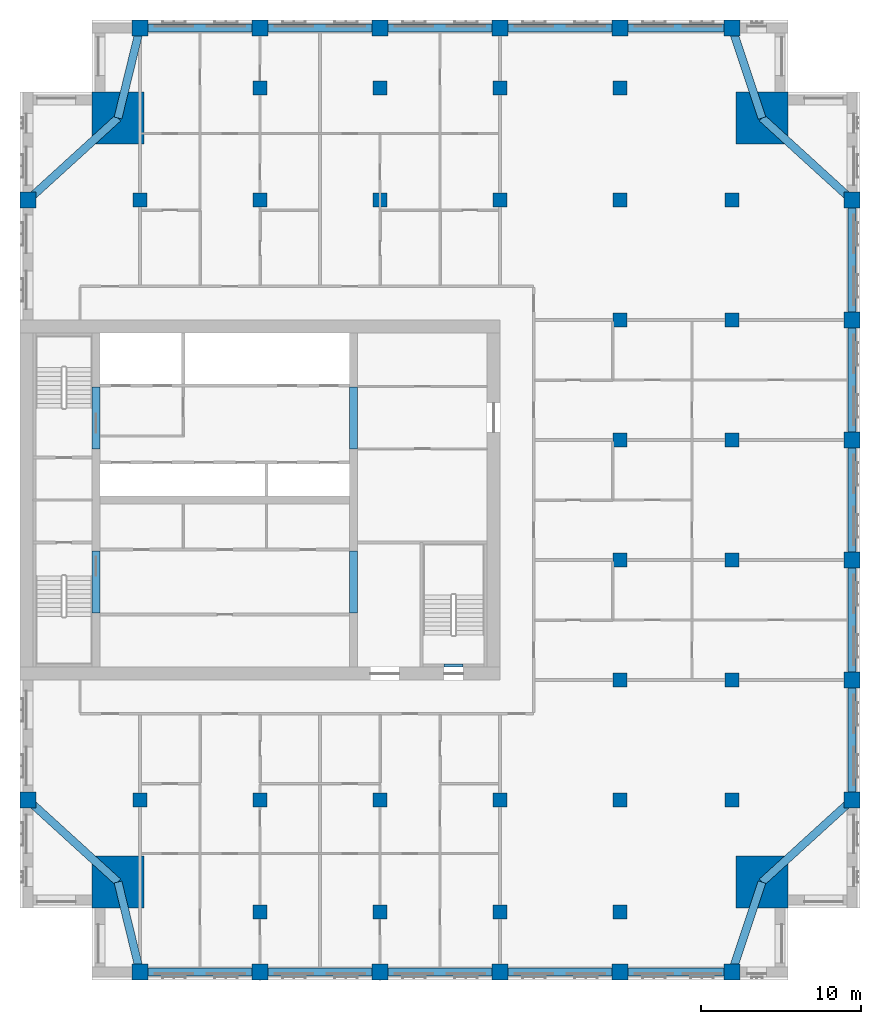
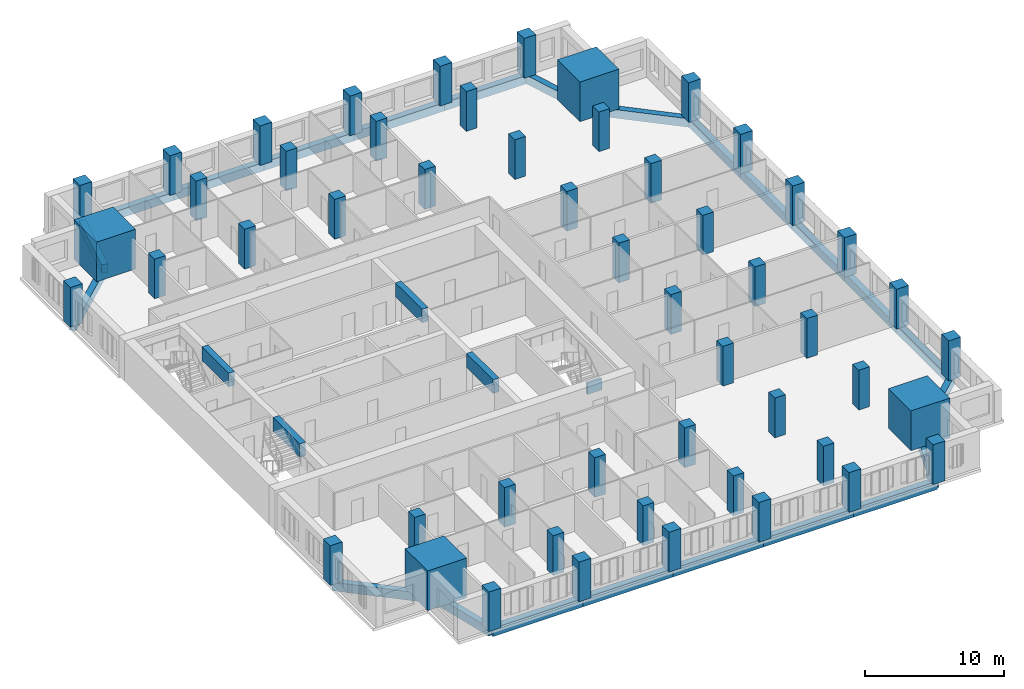
# One storey, part 1 of 14: 52 columns, 28 beams.
"""IFC4 building model written with IfcOpenShell, lengths in metres."""

from ifc_helpers import new_model, si_unit, direction, frame, origin, origin_2d, place, context, subcontext, project, spatial, rectangle, extrude, material, material_profile, profile_set, type_object, element, save


model = new_model("IFC4")

# Units and contexts
model_context = context("Model", 3, precision=1e-05, world=origin(), true_north=direction((0.0, 1.0)))
body_context = subcontext(model_context, "Body", "Model", "MODEL_VIEW")
ifc_project = project(units=[si_unit("LENGTHUNIT", "METRE"), si_unit("AREAUNIT", "SQUARE_METRE"), si_unit("VOLUMEUNIT", "CUBIC_METRE"), si_unit("PLANEANGLEUNIT", "RADIAN"), si_unit("MASSUNIT", "GRAM", prefix="KILO")], contexts=[model_context])

# Site, building, storey
site_placement = place(None, origin())
site = spatial("IfcSite", under=ifc_project, at=site_placement, CompositionType="ELEMENT")
building_placement = place(site_placement, origin())
building = spatial("IfcBuilding", under=site, at=building_placement, Name="Tamorin Gate", CompositionType="ELEMENT")
storey_placement = place(building_placement, frame((0.0, 0.0, 182.699951171875)))
storey = spatial("IfcBuildingStorey", under=building, at=storey_placement, Name="L44", CompositionType="ELEMENT", Elevation=182.699951171875)

# Columns
ifc_material_1 = material(Name="Concrete C60/75", Category="concrete")
ifc_material_profile_1 = material_profile(ifc_material_1, rectangle(XDim=1.0, YDim=1.0, at=origin_2d()), Name="RC 1000x1000")
ifc_profile_set_1 = profile_set([ifc_material_profile_1], Name="Concrete C60/75")
column_type_1 = type_object("IfcColumnType", Name="RC column 1000x1000 C60/75", PredefinedType="COLUMN", material=ifc_profile_set_1)
for number, where, z_axis, x_axis, name in (
    (1, (37.5, 41.75, 0.0), (0.0, 0.0, 1.0), (1.0, 0.0, 0.0), "Ring column L44"),
    (2, (45.0, 41.75, 0.0), (0.0, 0.0, 1.0), (1.0, 0.0, 0.0), "Ring column L44"),
    (3, (52.5, 41.75, 0.0), (0.0, 0.0, 1.0), (1.0, 0.0, 0.0), "Ring column L44"),
    (4, (60.0, 41.75, 0.0), (0.0, 0.0, 1.0), (1.0, 0.0, 0.0), "Ring column L44"),
    (5, (67.5, 41.75, 0.0), (0.0, 0.0, 1.0), (1.0, 0.0, 0.0), "Ring column L44"),
    (6, (74.5, 41.75, 0.0), (0.0, 0.0, 1.0), (1.0, 0.0, 0.0), "Ring column L44"),
    (7, (37.5, 100.75, 0.0), (0.0, 0.0, 1.0), (1.0, 0.0, 0.0), "Ring column L44"),
    (8, (45.0, 100.75, 0.0), (0.0, 0.0, 1.0), (1.0, 0.0, 0.0), "Ring column L44"),
    (9, (52.5, 100.75, 0.0), (0.0, 0.0, 1.0), (1.0, 0.0, 0.0), "Ring column L44"),
    (10, (60.0, 100.75, 0.0), (0.0, 0.0, 1.0), (1.0, 0.0, 0.0), "Ring column L44"),
    (11, (67.5, 100.75, 0.0), (0.0, 0.0, 1.0), (1.0, 0.0, 0.0), "Ring column L44"),
    (12, (74.5, 100.75, 0.0), (0.0, 0.0, 1.0), (1.0, 0.0, 0.0), "Ring column L44"),
    (13, (30.5, 52.5, 0.0), (0.0, 0.0, 1.0), (1.0, 0.0, 0.0), "Ring column L44"),
    (14, (30.5, 90.0, 0.0), (0.0, 0.0, 1.0), (1.0, 0.0, 0.0), "Ring column L44"),
    (15, (82.0, 52.5, 0.0), (0.0, 0.0, 1.0), (1.0, 0.0, 0.0), "Ring column L44"),
    (16, (82.0, 60.0, 0.0), (0.0, 0.0, 1.0), (1.0, 0.0, 0.0), "Ring column L44"),
    (17, (82.0, 67.5, 0.0), (0.0, 0.0, 1.0), (1.0, 0.0, 0.0), "Ring column L44"),
    (18, (82.0, 75.0, 0.0), (0.0, 0.0, 1.0), (1.0, 0.0, 0.0), "Ring column L44"),
    (19, (82.0, 82.5, 0.0), (0.0, 0.0, 1.0), (1.0, 0.0, 0.0), "Ring column L44"),
    (20, (82.0, 90.0, 0.0), (0.0, 0.0, 1.0), (1.0, 0.0, 0.0), "Ring column L44"),
):
    element("IfcColumn", number, at=place(storey_placement, frame(where, z_axis=z_axis, x_axis=x_axis)), inside=storey, type_object=column_type_1, Name=name, PredefinedType="COLUMN", context=body_context, shape_type="SweptSolid", body=[
        extrude(rectangle(XDim=1.0, YDim=1.0, at=origin_2d()), origin(), (0.0, 0.0, 1.0), 3.5),
    ])
ifc_material_profile_2 = material_profile(ifc_material_1, rectangle(XDim=3.25, YDim=3.25, at=origin_2d()), Name="RC 3250x3250")
ifc_profile_set_2 = profile_set([ifc_material_profile_2], Name="Concrete C60/75")
column_type_2 = type_object("IfcColumnType", Name="RC column 3250x3250 C60/75", PredefinedType="COLUMN", material=ifc_profile_set_2)
for number, where, z_axis, x_axis, name in (
    (21, (36.125, 47.375, 0.0), (0.0, 0.0, 1.0), (1.0, 0.0, 0.0), "Mega column SW L44"),
    (22, (76.375, 47.375, 0.0), (0.0, 0.0, 1.0), (1.0, 0.0, 0.0), "Mega column SE L44"),
    (23, (36.125, 95.125, 0.0), (0.0, 0.0, 1.0), (1.0, 0.0, 0.0), "Mega column NW L44"),
    (24, (76.375, 95.125, 0.0), (0.0, 0.0, 1.0), (1.0, 0.0, 0.0), "Mega column NE L44"),
):
    element("IfcColumn", number, at=place(storey_placement, frame(where, z_axis=z_axis, x_axis=x_axis)), inside=storey, type_object=column_type_2, Name=name, PredefinedType="COLUMN", context=body_context, shape_type="SweptSolid", body=[
        extrude(rectangle(XDim=3.25, YDim=3.25, at=origin_2d()), origin(), (0.0, 0.0, 1.0), 3.5),
    ])
ifc_material_profile_3 = material_profile(ifc_material_1, rectangle(XDim=0.89990234375, YDim=0.89990234375, at=origin_2d()), Name="RC 900x900")
ifc_profile_set_3 = profile_set([ifc_material_profile_3], Name="Concrete C60/75")
column_type_3 = type_object("IfcColumnType", Name="RC column 900x900 C60/75", PredefinedType="COLUMN", material=ifc_profile_set_3)
for number, where, z_axis, x_axis, name in (
    (25, (37.5, 52.5, 0.0), (0.0, 0.0, 1.0), (1.0, 0.0, 0.0), "Interior column L44"),
    (26, (37.5, 90.0, 0.0), (0.0, 0.0, 1.0), (1.0, 0.0, 0.0), "Interior column L44"),
    (27, (45.0, 45.5, 0.0), (0.0, 0.0, 1.0), (1.0, 0.0, 0.0), "Interior column L44"),
    (28, (45.0, 52.5, 0.0), (0.0, 0.0, 1.0), (1.0, 0.0, 0.0), "Interior column L44"),
    (29, (45.0, 90.0, 0.0), (0.0, 0.0, 1.0), (1.0, 0.0, 0.0), "Interior column L44"),
    (30, (45.0, 97.0, 0.0), (0.0, 0.0, 1.0), (1.0, 0.0, 0.0), "Interior column L44"),
    (31, (52.5, 45.5, 0.0), (0.0, 0.0, 1.0), (1.0, 0.0, 0.0), "Interior column L44"),
    (32, (52.5, 52.5, 0.0), (0.0, 0.0, 1.0), (1.0, 0.0, 0.0), "Interior column L44"),
    (33, (52.5, 90.0, 0.0), (0.0, 0.0, 1.0), (1.0, 0.0, 0.0), "Interior column L44"),
    (34, (52.5, 97.0, 0.0), (0.0, 0.0, 1.0), (1.0, 0.0, 0.0), "Interior column L44"),
    (35, (60.0, 45.5, 0.0), (0.0, 0.0, 1.0), (1.0, 0.0, 0.0), "Interior column L44"),
    (36, (60.0, 52.5, 0.0), (0.0, 0.0, 1.0), (1.0, 0.0, 0.0), "Interior column L44"),
    (37, (60.0, 90.0, 0.0), (0.0, 0.0, 1.0), (1.0, 0.0, 0.0), "Interior column L44"),
    (38, (60.0, 97.0, 0.0), (0.0, 0.0, 1.0), (1.0, 0.0, 0.0), "Interior column L44"),
    (39, (67.5, 45.5, 0.0), (0.0, 0.0, 1.0), (1.0, 0.0, 0.0), "Interior column L44"),
    (40, (67.5, 52.5, 0.0), (0.0, 0.0, 1.0), (1.0, 0.0, 0.0), "Interior column L44"),
    (41, (67.5, 60.0, 0.0), (0.0, 0.0, 1.0), (1.0, 0.0, 0.0), "Interior column L44"),
    (42, (67.5, 67.5, 0.0), (0.0, 0.0, 1.0), (1.0, 0.0, 0.0), "Interior column L44"),
    (43, (67.5, 75.0, 0.0), (0.0, 0.0, 1.0), (1.0, 0.0, 0.0), "Interior column L44"),
    (44, (67.5, 82.5, 0.0), (0.0, 0.0, 1.0), (1.0, 0.0, 0.0), "Interior column L44"),
    (45, (67.5, 90.0, 0.0), (0.0, 0.0, 1.0), (1.0, 0.0, 0.0), "Interior column L44"),
    (46, (67.5, 97.0, 0.0), (0.0, 0.0, 1.0), (1.0, 0.0, 0.0), "Interior column L44"),
    (47, (74.5, 52.5, 0.0), (0.0, 0.0, 1.0), (1.0, 0.0, 0.0), "Interior column L44"),
    (48, (74.5, 60.0, 0.0), (0.0, 0.0, 1.0), (1.0, 0.0, 0.0), "Interior column L44"),
    (49, (74.5, 67.5, 0.0), (0.0, 0.0, 1.0), (1.0, 0.0, 0.0), "Interior column L44"),
    (50, (74.5, 75.0, 0.0), (0.0, 0.0, 1.0), (1.0, 0.0, 0.0), "Interior column L44"),
    (51, (74.5, 82.5, 0.0), (0.0, 0.0, 1.0), (1.0, 0.0, 0.0), "Interior column L44"),
    (52, (74.5, 90.0, 0.0), (0.0, 0.0, 1.0), (1.0, 0.0, 0.0), "Interior column L44"),
):
    element("IfcColumn", number, at=place(storey_placement, frame(where, z_axis=z_axis, x_axis=x_axis)), inside=storey, type_object=column_type_3, Name=name, PredefinedType="COLUMN", context=body_context, shape_type="SweptSolid", body=[
        extrude(rectangle(XDim=0.89990234375, YDim=0.89990234375, at=origin_2d()), origin(), (0.0, 0.0, 1.0), 3.5),
    ])

# Beams
ifc_material_profile_4 = material_profile(ifc_material_1, rectangle(XDim=0.5, YDim=1.199951171875, at=origin_2d()), Name="RC 500x1200")
ifc_profile_set_4 = profile_set([ifc_material_profile_4], Name="Concrete C60/75")
beam_type_1 = type_object("IfcBeamType", Name="RC coupling beam 500x1200 C60/75", PredefinedType="BEAM", material=ifc_profile_set_4)
for number, where, z_axis, x_axis, name in (
    (53, (34.75, 64.199951171875, 2.900146484375), (0.0, 1.0, 0.0), (-1.0, 0.0, 0.0), "Coupling beam L44"),
    (54, (34.75, 74.449951171875, 2.900146484375), (0.0, 1.0, 0.0), (-1.0, 0.0, 0.0), "Coupling beam L44"),
    (55, (50.85009765625, 64.199951171875, 2.900146484375), (0.0, 1.0, 0.0), (-1.0, 0.0, 0.0), "Coupling beam L44"),
    (56, (50.85009765625, 74.449951171875, 2.900146484375), (0.0, 1.0, 0.0), (-1.0, 0.0, 0.0), "Coupling beam L44"),
):
    element("IfcBeam", number, at=place(storey_placement, frame(where, z_axis=z_axis, x_axis=x_axis)), inside=storey, type_object=beam_type_1, Name=name, PredefinedType="BEAM", context=body_context, shape_type="SweptSolid", body=[
        extrude(rectangle(XDim=0.5, YDim=1.199951171875, at=origin_2d()), origin(), (0.0, 0.0, 1.0), 3.85009765625),
    ])
ifc_material_2 = material(Name="Concrete C50/60", Category="concrete")
ifc_material_profile_5 = material_profile(ifc_material_2, rectangle(XDim=0.5, YDim=0.75, at=origin_2d()), Name="RC 500x750")
ifc_profile_set_5 = profile_set([ifc_material_profile_5], Name="Concrete C50/60")
beam_type_2 = type_object("IfcBeamType", Name="RC spandrel 500x750 C50/60", PredefinedType="BEAM", material=ifc_profile_set_5)
for number, where, z_axis, x_axis, name in (
    (57, (37.5, 41.75, -0.375), (1.0, 0.0, 0.0), (0.0, 1.0, 0.0), "Spandrel beam L44"),
    (58, (45.0, 41.75, -0.375), (1.0, 0.0, 0.0), (0.0, 1.0, 0.0), "Spandrel beam L44"),
    (59, (52.5, 41.75, -0.375), (1.0, 0.0, 0.0), (0.0, 1.0, 0.0), "Spandrel beam L44"),
    (60, (60.0, 41.75, -0.375), (1.0, 0.0, 0.0), (0.0, 1.0, 0.0), "Spandrel beam L44"),
):
    element("IfcBeam", number, at=place(storey_placement, frame(where, z_axis=z_axis, x_axis=x_axis)), inside=storey, type_object=beam_type_2, Name=name, PredefinedType="BEAM", context=body_context, shape_type="SweptSolid", body=[
        extrude(rectangle(XDim=0.5, YDim=0.75, at=origin_2d()), origin(), (0.0, 0.0, 1.0), 7.5),
    ])
beam_1_placement = place(storey_placement, frame((67.5, 41.75, -0.375), z_axis=(1.0, 0.0, 0.0), x_axis=(0.0, 1.0, 0.0)))
element("IfcBeam", 61, at=beam_1_placement, inside=storey, type_object=beam_type_2, Name="Spandrel beam L44", PredefinedType="BEAM", context=body_context, shape_type="SweptSolid", body=[
    extrude(rectangle(XDim=0.5, YDim=0.75, at=origin_2d()), origin(), (0.0, 0.0, 1.0), 7.0),
])
for number, where, z_axis, x_axis, name in (
    (62, (82.0, 52.5, -0.375), (0.0, 1.0, 0.0), (-1.0, 0.0, 0.0), "Spandrel beam L44"),
    (63, (82.0, 60.0, -0.375), (0.0, 1.0, 0.0), (-1.0, 0.0, 0.0), "Spandrel beam L44"),
    (64, (82.0, 67.5, -0.375), (0.0, 1.0, 0.0), (-1.0, 0.0, 0.0), "Spandrel beam L44"),
    (65, (82.0, 75.0, -0.375), (0.0, 1.0, 0.0), (-1.0, 0.0, 0.0), "Spandrel beam L44"),
    (66, (82.0, 82.5, -0.375), (0.0, 1.0, 0.0), (-1.0, 0.0, 0.0), "Spandrel beam L44"),
):
    element("IfcBeam", number, at=place(storey_placement, frame(where, z_axis=z_axis, x_axis=x_axis)), inside=storey, type_object=beam_type_2, Name=name, PredefinedType="BEAM", context=body_context, shape_type="SweptSolid", body=[
        extrude(rectangle(XDim=0.5, YDim=0.75, at=origin_2d()), origin(), (0.0, 0.0, 1.0), 7.5),
    ])
beam_2_placement = place(storey_placement, frame((74.5, 100.75, -0.375), z_axis=(-1.0, 0.0, 0.0), x_axis=(0.0, -1.0, 0.0)))
element("IfcBeam", 67, at=beam_2_placement, inside=storey, type_object=beam_type_2, Name="Spandrel beam L44", PredefinedType="BEAM", context=body_context, shape_type="SweptSolid", body=[
    extrude(rectangle(XDim=0.5, YDim=0.75, at=origin_2d()), origin(), (0.0, 0.0, 1.0), 7.0),
])
for number, where, z_axis, x_axis, name in (
    (68, (67.5, 100.75, -0.375), (-1.0, 0.0, 0.0), (0.0, -1.0, 0.0), "Spandrel beam L44"),
    (69, (60.0, 100.75, -0.375), (-1.0, 0.0, 0.0), (0.0, -1.0, 0.0), "Spandrel beam L44"),
    (70, (52.5, 100.75, -0.375), (-1.0, 0.0, 0.0), (0.0, -1.0, 0.0), "Spandrel beam L44"),
    (71, (45.0, 100.75, -0.375), (-1.0, 0.0, 0.0), (0.0, -1.0, 0.0), "Spandrel beam L44"),
):
    element("IfcBeam", number, at=place(storey_placement, frame(where, z_axis=z_axis, x_axis=x_axis)), inside=storey, type_object=beam_type_2, Name=name, PredefinedType="BEAM", context=body_context, shape_type="SweptSolid", body=[
        extrude(rectangle(XDim=0.5, YDim=0.75, at=origin_2d()), origin(), (0.0, 0.0, 1.0), 7.5),
    ])
beam_3_placement = place(storey_placement, frame((36.125, 47.375, -0.375), z_axis=(0.237453090477, -0.971399006497, 0.0), x_axis=(0.971399006497, 0.237453090477, 0.0)))
element("IfcBeam", 72, at=beam_3_placement, inside=storey, type_object=beam_type_2, Name="Corner tie beam L44", PredefinedType="BEAM", context=body_context, shape_type="SweptSolid", body=[
    extrude(rectangle(XDim=0.5, YDim=0.75, at=origin_2d()), origin(), (0.0, 0.0, 1.0), 5.79052734375),
])
beam_4_placement = place(storey_placement, frame((36.125, 47.375, -0.375), z_axis=(-0.739196337275, 0.673489996184, 0.0), x_axis=(-0.673489996184, -0.739196337275, 0.0)))
element("IfcBeam", 73, at=beam_4_placement, inside=storey, type_object=beam_type_2, Name="Corner tie beam L44", PredefinedType="BEAM", context=body_context, shape_type="SweptSolid", body=[
    extrude(rectangle(XDim=0.5, YDim=0.75, at=origin_2d()), origin(), (0.0, 0.0, 1.0), 7.609619140625),
])
beam_5_placement = place(storey_placement, frame((76.375, 47.375, -0.375), z_axis=(-0.316227766017, -0.948683298051, 0.0), x_axis=(0.948683298051, -0.316227766017, 0.0)))
element("IfcBeam", 74, at=beam_5_placement, inside=storey, type_object=beam_type_2, Name="Corner tie beam L44", PredefinedType="BEAM", context=body_context, shape_type="SweptSolid", body=[
    extrude(rectangle(XDim=0.5, YDim=0.75, at=origin_2d()), origin(), (0.0, 0.0, 1.0), 5.92919921875),
])
beam_6_placement = place(storey_placement, frame((76.375, 47.375, -0.375), z_axis=(0.739196337275, 0.673489996184, 0.0), x_axis=(-0.673489996184, 0.739196337275, 0.0)))
element("IfcBeam", 75, at=beam_6_placement, inside=storey, type_object=beam_type_2, Name="Corner tie beam L44", PredefinedType="BEAM", context=body_context, shape_type="SweptSolid", body=[
    extrude(rectangle(XDim=0.5, YDim=0.75, at=origin_2d()), origin(), (0.0, 0.0, 1.0), 7.609619140625),
])
beam_7_placement = place(storey_placement, frame((36.125, 95.125, -0.375), z_axis=(0.237453090477, 0.971399006497, 0.0), x_axis=(-0.971399006497, 0.237453090477, 0.0)))
element("IfcBeam", 76, at=beam_7_placement, inside=storey, type_object=beam_type_2, Name="Corner tie beam L44", PredefinedType="BEAM", context=body_context, shape_type="SweptSolid", body=[
    extrude(rectangle(XDim=0.5, YDim=0.75, at=origin_2d()), origin(), (0.0, 0.0, 1.0), 5.79052734375),
])
beam_8_placement = place(storey_placement, frame((36.125, 95.125, -0.375), z_axis=(-0.739196337275, -0.673489996184, 0.0), x_axis=(0.673489996184, -0.739196337275, 0.0)))
element("IfcBeam", 77, at=beam_8_placement, inside=storey, type_object=beam_type_2, Name="Corner tie beam L44", PredefinedType="BEAM", context=body_context, shape_type="SweptSolid", body=[
    extrude(rectangle(XDim=0.5, YDim=0.75, at=origin_2d()), origin(), (0.0, 0.0, 1.0), 7.609619140625),
])
beam_9_placement = place(storey_placement, frame((76.375, 95.125, -0.375), z_axis=(-0.316227766017, 0.948683298051, 0.0), x_axis=(-0.948683298051, -0.316227766017, 0.0)))
element("IfcBeam", 78, at=beam_9_placement, inside=storey, type_object=beam_type_2, Name="Corner tie beam L44", PredefinedType="BEAM", context=body_context, shape_type="SweptSolid", body=[
    extrude(rectangle(XDim=0.5, YDim=0.75, at=origin_2d()), origin(), (0.0, 0.0, 1.0), 5.92919921875),
])
beam_10_placement = place(storey_placement, frame((76.375, 95.125, -0.375), z_axis=(0.739196337275, -0.673489996184, 0.0), x_axis=(0.673489996184, 0.739196337275, 0.0)))
element("IfcBeam", 79, at=beam_10_placement, inside=storey, type_object=beam_type_2, Name="Corner tie beam L44", PredefinedType="BEAM", context=body_context, shape_type="SweptSolid", body=[
    extrude(rectangle(XDim=0.5, YDim=0.75, at=origin_2d()), origin(), (0.0, 0.0, 1.0), 7.609619140625),
])
ifc_material_profile_6 = material_profile(ifc_material_1, rectangle(XDim=0.199951171875, YDim=1.0, at=origin_2d()))
ifc_profile_set_6 = profile_set([ifc_material_profile_6], Name="Concrete C60/75")
beam_type_3 = type_object("IfcBeamType", Name="Stair lintel 200x1000 C60/75", PredefinedType="BEAM", material=ifc_profile_set_6)
beam_11_placement = place(storey_placement, frame((56.5, 60.89990234375, 2.699951171875), z_axis=(1.0, 0.0, 0.0), x_axis=(0.0, 1.0, 0.0)))
element("IfcBeam", 80, at=beam_11_placement, inside=storey, type_object=beam_type_3, Name="Stair lintel", PredefinedType="BEAM", context=body_context, shape_type="SweptSolid", body=[
    extrude(rectangle(XDim=0.199951171875, YDim=1.0, at=origin_2d()), origin(), (0.0, 0.0, 1.0), 1.199951171875),
])

save(model, "model.ifc")
